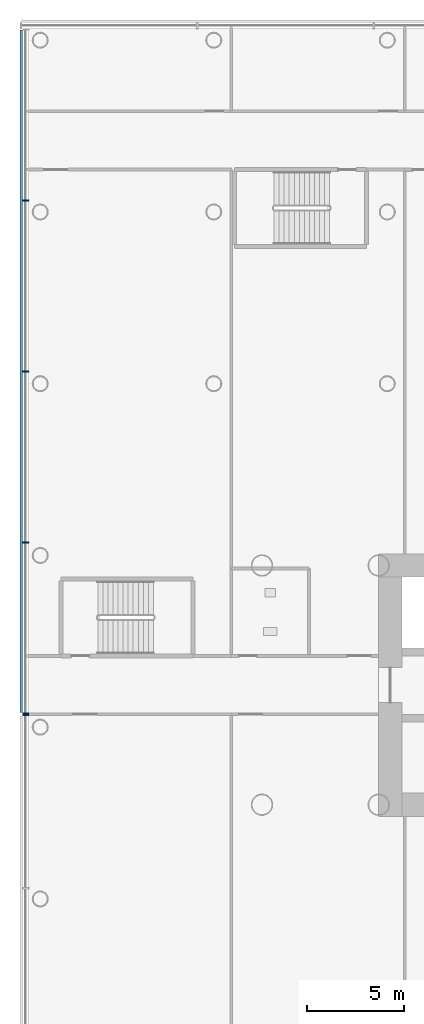
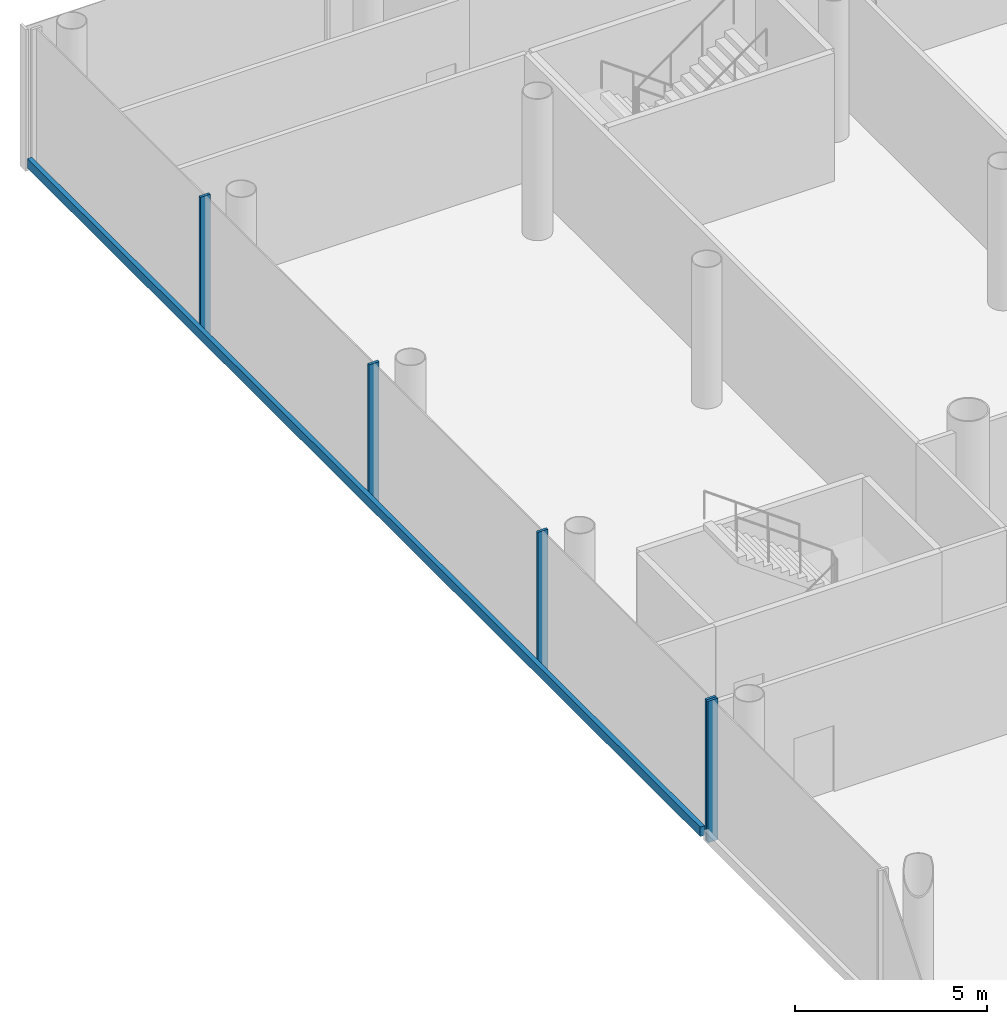
# One storey, part 7 of 49: 6 members, 2 elements without a shape of their own.
"""IFC4 building model written with IfcOpenShell, lengths in metres."""

from ifc_helpers import new_model, si_unit, direction, frame, origin, origin_2d, place, context, subcontext, project, spatial, rectangle, extrude, material, layer, layer_set, material_profile, profile_set, type_object, element, aggregate, save


model = new_model("IFC4")

# Units and contexts
model_context = context("Model", 3, precision=1e-05, world=origin(), true_north=direction((0.0, 1.0)))
body_context = subcontext(model_context, "Body", "Model", "MODEL_VIEW")
ifc_project = project(units=[si_unit("LENGTHUNIT", "METRE"), si_unit("AREAUNIT", "SQUARE_METRE"), si_unit("VOLUMEUNIT", "CUBIC_METRE"), si_unit("PLANEANGLEUNIT", "RADIAN"), si_unit("MASSUNIT", "GRAM", prefix="KILO")], contexts=[model_context])

# Site, building, storey
site_placement = place(None, origin())
site = spatial("IfcSite", under=ifc_project, at=site_placement, CompositionType="ELEMENT")
building_placement = place(site_placement, origin())
building = spatial("IfcBuilding", under=site, at=building_placement, Name="Ipe Terrace Towers", CompositionType="ELEMENT")
storey_placement = place(building_placement, frame((0.0, 0.0, 11.0)))
storey = spatial("IfcBuildingStorey", under=building, at=storey_placement, Name="L02", CompositionType="ELEMENT", Elevation=11.0)

# Curtain wall, members
ifc_material_1 = material(Name="Aluminium alloy 6063-T6", Category="aluminium")
ifc_layer = layer(ifc_material_1, 0.43994140625)
ifc_layer_set = layer_set([ifc_layer], Name="PODIUM GLAZING CURTAIN WALL")
curtain_wall_type = type_object("IfcCurtainWallType", Name="PODIUM GLAZING CURTAIN WALL", PredefinedType="NOTDEFINED", material=ifc_layer_set)
curtain_wall_1_placement = place(storey_placement, origin())
curtain_wall_1 = element("IfcCurtainWall", 1, at=curtain_wall_1_placement, inside=storey, type_object=curtain_wall_type, Name="POD-CW-L02-02a curtain wall", PredefinedType="NOTDEFINED")
ifc_material_2 = material(Name="Aluminium alloy 6063-T6", Category="aluminium")
ifc_material_profile_1 = material_profile(ifc_material_2, rectangle(XDim=0.300048828125, YDim=0.080078125, at=origin_2d()), Name="PODIUM GLAZING MULLION 300 x 80")
ifc_profile_set_1 = profile_set([ifc_material_profile_1], Name="Aluminium alloy 6063-T6")
member_type_1 = type_object("IfcMemberType", Name="PODIUM GLAZING MULLION 300 x 80", PredefinedType="MULLION", material=ifc_profile_set_1)
member_1_placement = place(storey_placement, frame((-69.89990234375, 24.91748046875, -0.300048828125), z_axis=(0.0, 0.0, 1.0), x_axis=(-1.0, 0.0, 0.0)))
member_1 = element("IfcMember", 2, at=member_1_placement, type_object=member_type_1, Name="POD-CW-L02-02a mullion 2", PredefinedType="MULLION", context=body_context, shape_type="SweptSolid", body=[
    extrude(rectangle(XDim=0.300048828125, YDim=0.080078125, at=origin_2d()), origin(), (0.0, 0.0, 1.0), 4.5),
])
member_2_placement = place(storey_placement, frame((-69.89990234375, 16.125, -0.300048828125), z_axis=(0.0, 0.0, 1.0), x_axis=(-1.0, 0.0, 0.0)))
member_2 = element("IfcMember", 3, at=member_2_placement, type_object=member_type_1, Name="POD-CW-L02-02a mullion 3", PredefinedType="MULLION", context=body_context, shape_type="SweptSolid", body=[
    extrude(rectangle(XDim=0.300048828125, YDim=0.080078125, at=origin_2d()), origin(), (0.0, 0.0, 1.0), 4.5),
])
member_3_placement = place(storey_placement, frame((-69.89990234375, 7.33251953125, -0.300048828125), z_axis=(0.0, 0.0, 1.0), x_axis=(-1.0, 0.0, 0.0)))
member_3 = element("IfcMember", 4, at=member_3_placement, type_object=member_type_1, Name="POD-CW-L02-02a mullion 4", PredefinedType="MULLION", context=body_context, shape_type="SweptSolid", body=[
    extrude(rectangle(XDim=0.300048828125, YDim=0.080078125, at=origin_2d()), origin(), (0.0, 0.0, 1.0), 4.5),
])
member_4_placement = place(storey_placement, frame((-69.89990234375, -1.4599609375, -0.300048828125), z_axis=(0.0, 0.0, 1.0), x_axis=(-1.0, 0.0, 0.0)))
member_4 = element("IfcMember", 5, at=member_4_placement, type_object=member_type_1, Name="POD-CW-L02-02a mullion 5", PredefinedType="MULLION", context=body_context, shape_type="SweptSolid", body=[
    extrude(rectangle(XDim=0.300048828125, YDim=0.080078125, at=origin_2d()), origin(), (0.0, 0.0, 1.0), 4.5),
])

# Curtain wall, member
curtain_wall_2_placement = place(storey_placement, origin())
curtain_wall_2 = element("IfcCurtainWall", 6, at=curtain_wall_2_placement, inside=storey, type_object=curtain_wall_type, Name="POD-CW-L02-02b curtain wall", PredefinedType="NOTDEFINED")
member_5_placement = place(storey_placement, frame((-69.89990234375, -1.5400390625, -0.300048828125), z_axis=(0.0, 0.0, 1.0), x_axis=(-1.0, 0.0, 0.0)))
member_5 = element("IfcMember", 7, at=member_5_placement, type_object=member_type_1, Name="POD-CW-L02-02b mullion 1", PredefinedType="MULLION", context=body_context, shape_type="SweptSolid", body=[
    extrude(rectangle(XDim=0.300048828125, YDim=0.080078125, at=origin_2d()), origin(), (0.0, 0.0, 1.0), 4.5),
])
aggregate(curtain_wall_2, [member_5])

# Member
ifc_material_3 = material(Name="Aluminium alloy 6063-T6", Category="aluminium")
ifc_material_profile_2 = material_profile(ifc_material_3, rectangle(XDim=0.139892578125, YDim=0.300048828125, at=origin_2d()), Name="PODIUM GLAZING TRANSOM 140 x 300")
ifc_profile_set_2 = profile_set([ifc_material_profile_2], Name="Aluminium alloy 6063-T6")
member_type_2 = type_object("IfcMemberType", Name="PODIUM GLAZING TRANSOM 140 x 300", PredefinedType="USERDEFINED", material=ifc_profile_set_2)
member_6_placement = place(storey_placement, frame((-70.1201171875, 33.669921875, 0.0), z_axis=(0.0, -1.0, 0.0), x_axis=(-1.0, 0.0, 0.0)))
member_6 = element("IfcMember", 8, at=member_6_placement, type_object=member_type_2, Name="POD-CW-L02-02a transom", ObjectType="TRANSOM", PredefinedType="USERDEFINED", context=body_context, shape_type="SweptSolid", body=[
    extrude(rectangle(XDim=0.139892578125, YDim=0.300048828125, at=origin_2d()), origin(), (0.0, 0.0, 1.0), 35.08984375),
])

aggregate(curtain_wall_1, [member_1, member_2, member_3, member_4, member_6])

save(model, "model.ifc")
